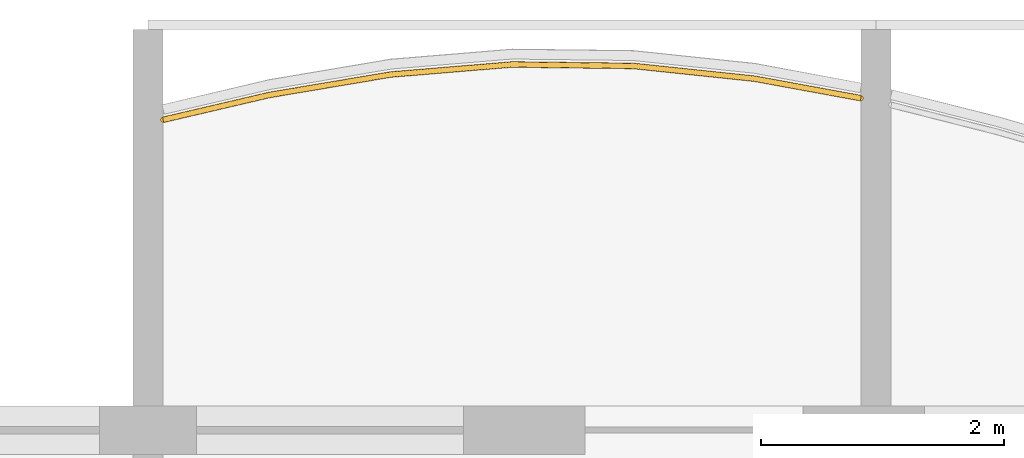
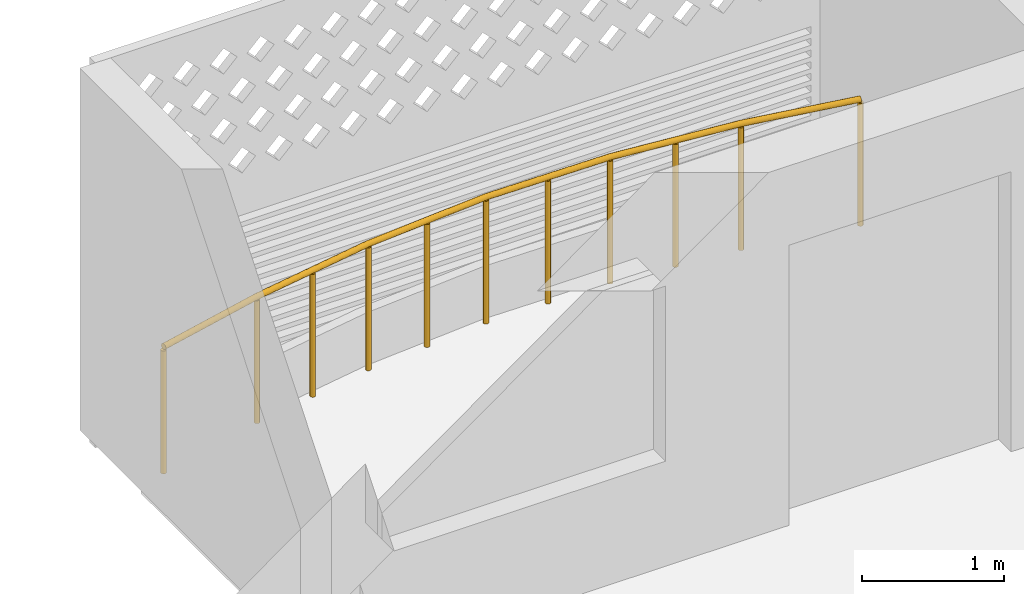
# One storey, part 21 of 26: 1 railing.
"""IFC4 building model written with IfcOpenShell, lengths in metres."""

from ifc_helpers import new_model, si_unit, direction, frame, origin, origin_2d, place, context, subcontext, project, spatial, circle, extrude, material, type_object, element, save


model = new_model("IFC4")

# Units and contexts
model_context = context("Model", 3, precision=1e-05, world=origin(), true_north=direction((0.0, 1.0)))
body_context = subcontext(model_context, "Body", "Model", "MODEL_VIEW")
ifc_project = project(units=[si_unit("LENGTHUNIT", "METRE"), si_unit("AREAUNIT", "SQUARE_METRE"), si_unit("VOLUMEUNIT", "CUBIC_METRE"), si_unit("PLANEANGLEUNIT", "RADIAN"), si_unit("MASSUNIT", "GRAM", prefix="KILO")], contexts=[model_context])

# Site, building, storey
site_placement = place(None, origin())
site = spatial("IfcSite", under=ifc_project, at=site_placement, CompositionType="ELEMENT")
building_placement = place(site_placement, origin())
building = spatial("IfcBuilding", under=site, at=building_placement, Name="Poui Terraces", CompositionType="ELEMENT")
storey_placement = place(building_placement, frame((0.0, 0.0, 221.39990234375)))
storey = spatial("IfcBuildingStorey", under=building, at=storey_placement, Name="L61", CompositionType="ELEMENT", Elevation=221.39990234375)

# Railing
ifc_material = material(Name="Painted steel fretwork", Category="steel")
railing_type = type_object("IfcRailingType", Name="BALCONY GUARD 1100", PredefinedType="GUARDRAIL", material=ifc_material)
railing_placement = place(storey_placement, frame((60.125, 43.757568359375, 0.0)))
element("IfcRailing", 1, at=railing_placement, inside=storey, type_object=railing_type, Name="BALCONY GUARD", PredefinedType="GUARDRAIL", context=body_context, shape_type="SweptSolid", body=[
    extrude(circle(Radius=0.02392578125, at=origin_2d()), frame((0.0, 0.0, 1.076171875), z_axis=(0.973736897475, 0.227676205381, 0.0), x_axis=(-0.227676205381, 0.973736897475, 0.0)), (0.0, 0.0, 1.0), 0.898681640625),
    extrude(circle(Radius=0.02392578125, at=origin_2d()), frame((0.875, 0.20458984375, 1.076171875), z_axis=(0.986106132513, 0.166116511581, 0.0), x_axis=(-0.166116511581, 0.986106132513, 0.0)), (0.0, 0.0, 1.0), 1.01416015625),
    extrude(circle(Radius=0.02392578125, at=origin_2d()), frame((1.875, 0.373046875, 1.076171875), z_axis=(0.996592582512, 0.082481661492, 0.0), x_axis=(-0.082481661492, 0.996592582512, 0.0)), (0.0, 0.0, 1.0), 1.00341796875),
    extrude(circle(Radius=0.02392578125, at=origin_2d()), frame((2.875, 0.455810546875, 1.076171875), z_axis=(0.999928452303, -0.011962034708, 0.0), x_axis=(0.011962034708, 0.999928452303, 0.0)), (0.0, 0.0, 1.0), 1.0),
    extrude(circle(Radius=0.02392578125, at=origin_2d()), frame((3.875, 0.44384765625, 1.076171875), z_axis=(0.994509443434, -0.104646867705, 0.0), x_axis=(0.104646867705, 0.994509443434, 0.0)), (0.0, 0.0, 1.0), 1.005615234375),
    extrude(circle(Radius=0.02392578125, at=origin_2d()), frame((4.875, 0.338623046875, 1.076171875), z_axis=(0.983609802465, -0.180310167472, 0.0), x_axis=(0.180310167472, 0.983609802465, 0.0)), (0.0, 0.0, 1.0), 0.8896484375),
    extrude(circle(Radius=0.02099609375, at=origin_2d()), origin(), (0.0, 0.0, 1.0), 1.052001953125),
    extrude(circle(Radius=0.02099609375, at=origin_2d()), frame((0.875, 0.20458984375, 0.0)), (0.0, 0.0, 1.0), 1.052001953125),
    extrude(circle(Radius=0.02099609375, at=origin_2d()), frame((1.375, 0.288818359375, 0.0)), (0.0, 0.0, 1.0), 1.052001953125),
    extrude(circle(Radius=0.02099609375, at=origin_2d()), frame((1.875, 0.373046875, 0.0)), (0.0, 0.0, 1.0), 1.052001953125),
    extrude(circle(Radius=0.02099609375, at=origin_2d()), frame((2.375, 0.41455078125, 0.0)), (0.0, 0.0, 1.0), 1.052001953125),
    extrude(circle(Radius=0.02099609375, at=origin_2d()), frame((2.875, 0.455810546875, 0.0)), (0.0, 0.0, 1.0), 1.052001953125),
    extrude(circle(Radius=0.02099609375, at=origin_2d()), frame((3.375, 0.44970703125, 0.0)), (0.0, 0.0, 1.0), 1.052001953125),
    extrude(circle(Radius=0.02099609375, at=origin_2d()), frame((3.875, 0.44384765625, 0.0)), (0.0, 0.0, 1.0), 1.052001953125),
    extrude(circle(Radius=0.02099609375, at=origin_2d()), frame((4.375, 0.39111328125, 0.0)), (0.0, 0.0, 1.0), 1.052001953125),
    extrude(circle(Radius=0.02099609375, at=origin_2d()), frame((4.875, 0.338623046875, 0.0)), (0.0, 0.0, 1.0), 1.052001953125),
    extrude(circle(Radius=0.02099609375, at=origin_2d()), frame((5.75, 0.17822265625, 0.0)), (0.0, 0.0, 1.0), 1.052001953125),
])

save(model, "model.ifc")
